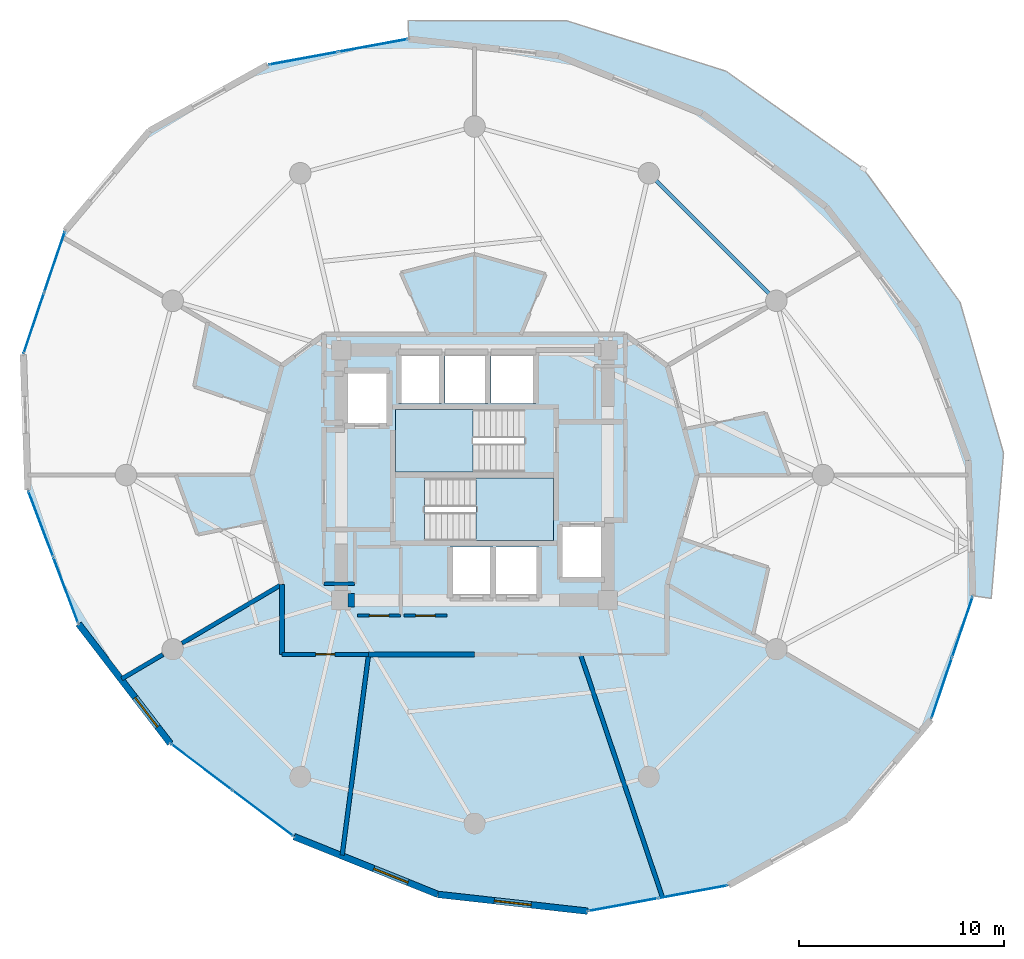
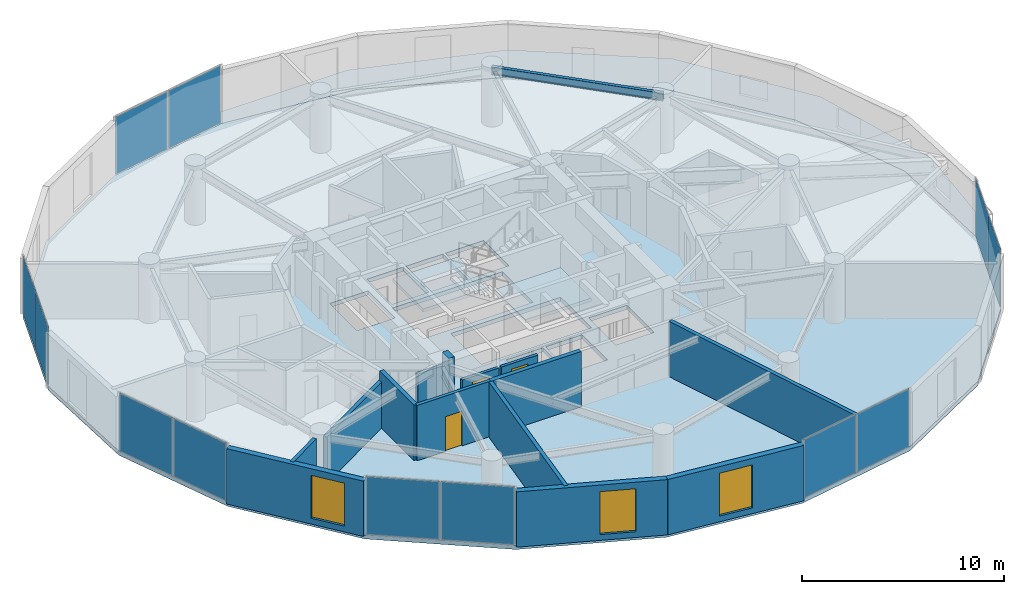
# One storey, part 17 of 23: 14 walls, 12 plates, 4 slabs, 3 doors, 3 windows, 1 beam, 6 openings, 8 elements without a shape of their own.
"""IFC4 building model written with IfcOpenShell, lengths in metres."""

import ifcopenshell
import ifcopenshell.guid

model = None  # the IFC model being written
_history = None  # IfcOwnerHistory: only IFC2X3 demands one
_inside = {}  # id of a spatial element -> (the spatial element, [elements in it])
_under = {}  # id of a project, library or spatial element -> (it, [spatial elements below it])
_declared = {}  # id of a project -> (the project, [libraries it declares])
_typed = {}  # id of a type object -> (the type object, [elements of that type])
_made_of = {}  # id of a material, layer set ... -> (it, [elements and type objects made of it])


def new_model(schema):
    """Start an empty IFC model of exactly this schema.

    Asked for "IFC4X3", IfcOpenShell would pick the latest addendum, in which some entities
    have other attributes; the version numbers below select the first issue.
    IFC2X3 requires an IfcOwnerHistory on every rooted entity: one is made here for all.
    """
    global model, _history
    if schema == "IFC4X3":
        model = ifcopenshell.file(schema_version=(4, 3, 0, 0))
    else:
        model = ifcopenshell.file(schema=schema)
    _inside.clear()
    _under.clear()
    _declared.clear()
    _typed.clear()
    _made_of.clear()
    _history = None
    if model.schema == "IFC2X3":
        org = make("IfcOrganization", Name="unknown")
        user = make(
            "IfcPersonAndOrganization",
            ThePerson=make("IfcPerson", FamilyName="unknown"),
            TheOrganization=org,
        )
        app = make(
            "IfcApplication",
            ApplicationDeveloper=org,
            Version="unknown",
            ApplicationFullName="unknown",
            ApplicationIdentifier="unknown",
        )
        _history = make(
            "IfcOwnerHistory",
            OwningUser=user,
            OwningApplication=app,
            ChangeAction="ADDED",
            CreationDate=0,
        )
    return model


def make(cls, **values):
    """One entity of the class cls with the attributes given. An attribute that is None is left unset."""
    return model.create_entity(
        cls, **{name: value for name, value in values.items() if value is not None}
    )


def rooted(cls, **values):
    """An entity with a GlobalId (a new one), such as an element, a storey or a relation."""
    return make(cls, GlobalId=ifcopenshell.guid.new(), OwnerHistory=_history, **values)


def si_unit(unit_type, name, prefix=None):
    """IfcSIUnit, for example si_unit("LENGTHUNIT", "METRE", prefix="MILLI")."""
    return make("IfcSIUnit", UnitType=unit_type, Prefix=prefix, Name=name)


def assignment(units):
    """IfcUnitAssignment: the units of a project."""
    return None if units is None else make("IfcUnitAssignment", Units=units)


def point(xyz):
    """IfcCartesianPoint."""
    return None if xyz is None else make("IfcCartesianPoint", Coordinates=xyz)


def direction(xyz):
    """IfcDirection."""
    return None if xyz is None else make("IfcDirection", DirectionRatios=xyz)


def frame(location, z_axis=None, x_axis=None):
    """IfcAxis2Placement3D, a coordinate frame: its origin and axes. An axis left out is left unset."""
    return make(
        "IfcAxis2Placement3D",
        Location=point(location),
        Axis=direction(z_axis),
        RefDirection=direction(x_axis),
    )


def frame_2d(location, x_axis=None):
    """IfcAxis2Placement2D, a coordinate frame in the plane: its origin and x axis."""
    return make(
        "IfcAxis2Placement2D", Location=point(location), RefDirection=direction(x_axis)
    )


def origin():
    """The frame at (0, 0, 0) with its axes left unset."""
    return frame((0.0, 0.0, 0.0))


def origin_2d():
    """The frame at (0, 0) in the plane with its x axis left unset."""
    return frame_2d((0.0, 0.0))


def place(relative_to, where):
    """IfcLocalPlacement: puts the frame where relative to a parent placement (None: the world)."""
    return make(
        "IfcLocalPlacement", PlacementRelTo=relative_to, RelativePlacement=where
    )


def context(
    kind, dimensions, precision=None, world=None, true_north=None, identifier=None
):
    """IfcGeometricRepresentationContext, for example the 3D "Model" context."""
    return make(
        "IfcGeometricRepresentationContext",
        ContextIdentifier=identifier,
        ContextType=kind,
        CoordinateSpaceDimension=dimensions,
        Precision=precision,
        WorldCoordinateSystem=world,
        TrueNorth=true_north,
    )


def subcontext(parent, identifier, kind, view, scale=None):
    """IfcGeometricRepresentationSubContext, for example "Body" below "Model"."""
    return make(
        "IfcGeometricRepresentationSubContext",
        ContextIdentifier=identifier,
        ContextType=kind,
        ParentContext=parent,
        TargetScale=scale,
        TargetView=view,
    )


def project(units=None, contexts=None):
    """IfcProject with its units and contexts."""
    return rooted(
        "IfcProject",
        Name="project",
        RepresentationContexts=contexts,
        UnitsInContext=assignment(units),
    )


def spatial(cls, under=None, at=None, **own):
    """A site, building, storey or space (cls), placed at a placement, below another one or the project."""
    s = rooted(cls, ObjectPlacement=at, **own)
    if under is not None:
        _under.setdefault(under.id(), (under, []))[1].append(s)
    return s


def polyline(points):
    """IfcPolyline through the points."""
    return make("IfcPolyline", Points=[point(p) for p in points])


def profile(cls, at=None, kind="AREA", **sizes):
    """A parametric profile (cls). Its sizes go by their IFC names, for example OverallWidth=200.0."""
    return make(cls, ProfileType=kind, Position=at, **sizes)


def rectangle(**sizes):
    """IfcRectangleProfileDef."""
    return profile("IfcRectangleProfileDef", **sizes)


def i_section(**sizes):
    """IfcIShapeProfileDef."""
    return profile("IfcIShapeProfileDef", **sizes)


def outline(outer, holes=None, kind="AREA"):
    """IfcArbitraryClosedProfileDef: a profile drawn as a closed curve; with holes, ...WithVoids."""
    if holes is None:
        return make("IfcArbitraryClosedProfileDef", ProfileType=kind, OuterCurve=outer)
    return make(
        "IfcArbitraryProfileDefWithVoids",
        ProfileType=kind,
        OuterCurve=outer,
        InnerCurves=holes,
    )


def extrude(swept, where, along, depth):
    """IfcExtrudedAreaSolid: the profile swept, set in the frame where, extruded along a direction by depth."""
    return make(
        "IfcExtrudedAreaSolid",
        SweptArea=swept,
        Position=where,
        ExtrudedDirection=direction(along),
        Depth=depth,
    )


def shape(context_of_items, identifier, shape_type, items):
    """IfcShapeRepresentation: the items that make up one representation, for example the "Body"."""
    return make(
        "IfcShapeRepresentation",
        ContextOfItems=context_of_items,
        RepresentationIdentifier=identifier,
        RepresentationType=shape_type,
        Items=items,
    )


def source(mapping_origin, context_of_items, identifier, shape_type, items):
    """IfcRepresentationMap: a shape defined once, which mapped items show again and again."""
    return make(
        "IfcRepresentationMap",
        MappingOrigin=mapping_origin,
        MappedRepresentation=shape(context_of_items, identifier, shape_type, items),
    )


def transform(
    local_origin,
    x_axis=None,
    y_axis=None,
    z_axis=None,
    scale=None,
    scale2=None,
    scale3=None,
    uniform=True,
):
    """IfcCartesianTransformationOperator3D, or its non-uniform kind. x_axis, y_axis, z_axis: its Axis1, 2, 3."""
    if uniform:
        return make(
            "IfcCartesianTransformationOperator3D",
            Axis1=direction(x_axis),
            Axis2=direction(y_axis),
            LocalOrigin=point(local_origin),
            Scale=scale,
            Axis3=direction(z_axis),
        )
    return make(
        "IfcCartesianTransformationOperator3DnonUniform",
        Axis1=direction(x_axis),
        Axis2=direction(y_axis),
        LocalOrigin=point(local_origin),
        Scale=scale,
        Axis3=direction(z_axis),
        Scale2=scale2,
        Scale3=scale3,
    )


def mapped(mapping_source, mapping_target):
    """IfcMappedItem: shows the shape of a source again, moved by a transform."""
    return make(
        "IfcMappedItem", MappingSource=mapping_source, MappingTarget=mapping_target
    )


def material(Name=None, Category=None):
    """IfcMaterial."""
    return make("IfcMaterial", Name=Name, Category=Category)


def layer(
    of_material, thickness, ventilated=None, Name=None, Category=None, Priority=None
):
    """IfcMaterialLayer: one layer of a wall or slab, of a material (None: an air gap)."""
    return make(
        "IfcMaterialLayer",
        Material=of_material,
        LayerThickness=thickness,
        IsVentilated=ventilated,
        Name=Name,
        Category=Category,
        Priority=Priority,
    )


def layer_set(layers, Name=None):
    """IfcMaterialLayerSet."""
    return make("IfcMaterialLayerSet", MaterialLayers=layers, LayerSetName=Name)


def material_profile(
    of_material, cross_section, Name=None, Category=None, Priority=None
):
    """IfcMaterialProfile: a cross section and its material."""
    return make(
        "IfcMaterialProfile",
        Name=Name,
        Material=of_material,
        Profile=cross_section,
        Priority=Priority,
        Category=Category,
    )


def profile_set(profiles, Name=None, composite=None):
    """IfcMaterialProfileSet."""
    return make(
        "IfcMaterialProfileSet",
        Name=Name,
        MaterialProfiles=profiles,
        CompositeProfile=composite,
    )


def made_of(thing, what):
    """Note that an element or type object is made of a material, layer set ...; save() writes the relation."""
    if what is not None:
        _made_of.setdefault(what.id(), (what, []))[1].append(thing)
    return thing


def type_object(cls, material=None, **own):
    """A type object (cls), such as IfcWallType, which elements share."""
    return made_of(rooted(cls, **own), material)


def element(
    cls,
    number,
    at=None,
    inside=None,
    cuts=None,
    type_object=None,
    material=None,
    context=None,
    identifier="Body",
    shape_type=None,
    held_by="IfcProductDefinitionShape",
    body=None,
    shapes=None,
    **own,
):
    """One element of the class cls, such as IfcWall. Its Tag is "e" and its number.

    at: its placement. inside: the storey or other place that contains it. cuts: it is an
    opening in that element (IfcRelVoidsElement). A single representation is given by context,
    identifier, shape_type and body (its items); several are given by shapes. held_by: the class
    of the entity that holds the representations. save() writes the other relations.
    """
    e = rooted(cls, Tag="e%d" % number, ObjectPlacement=at, **own)
    if body is not None:
        shapes = [shape(context, identifier, shape_type, body)]
    if shapes is not None:
        e.Representation = make(held_by, Representations=shapes)
    if inside is not None:
        _inside.setdefault(inside.id(), (inside, []))[1].append(e)
    if cuts is not None:
        rooted(
            "IfcRelVoidsElement", RelatingBuildingElement=cuts, RelatedOpeningElement=e
        )
    if type_object is not None:
        _typed.setdefault(type_object.id(), (type_object, []))[1].append(e)
    return made_of(e, material)


def fill(opening, filler):
    """IfcRelFillsElement: the door or window that sits in an opening."""
    return rooted(
        "IfcRelFillsElement",
        RelatingOpeningElement=opening,
        RelatedBuildingElement=filler,
    )


def aggregate(whole, parts):
    """IfcRelAggregates: a whole, such as a stair, and the parts it consists of."""
    return rooted("IfcRelAggregates", RelatingObject=whole, RelatedObjects=parts)


def save(model, path):
    """Write the relations noted so far, then the file.

    IfcRelAggregates (storeys below a building ...), IfcRelContainedInSpatialStructure (elements
    in a storey), IfcRelDefinesByType, IfcRelAssociatesMaterial and IfcRelDeclares: one each for
    every whole, place, type object, material and project.
    """
    for whole, parts in _under.values():
        aggregate(whole, parts)
    for where, things in _inside.values():
        rooted(
            "IfcRelContainedInSpatialStructure",
            RelatedElements=things,
            RelatingStructure=where,
        )
    for kind, things in _typed.values():
        rooted("IfcRelDefinesByType", RelatedObjects=things, RelatingType=kind)
    for what, things in _made_of.values():
        rooted("IfcRelAssociatesMaterial", RelatedObjects=things, RelatingMaterial=what)
    for by, libraries in _declared.values():
        rooted("IfcRelDeclares", RelatingContext=by, RelatedDefinitions=libraries)
    model.write(path)


model = new_model("IFC4")

# Units and contexts
model_context = context("Model", 3, precision=1e-05, world=origin(), true_north=direction((0.0, 1.0)))
body_context = subcontext(model_context, "Body", "Model", "MODEL_VIEW")
ifc_project = project(units=[si_unit("LENGTHUNIT", "METRE"), si_unit("AREAUNIT", "SQUARE_METRE"), si_unit("VOLUMEUNIT", "CUBIC_METRE"), si_unit("PLANEANGLEUNIT", "RADIAN"), si_unit("MASSUNIT", "GRAM", prefix="KILO")], contexts=[model_context])

# Site, building, storey
site_placement = place(None, origin())
site = spatial("IfcSite", under=ifc_project, at=site_placement, CompositionType="ELEMENT")
building_placement = place(site_placement, origin())
building = spatial("IfcBuilding", under=site, at=building_placement, Name="Solvirekh Grand Hotel", CompositionType="ELEMENT")
storey_placement = place(building_placement, frame((0.0, 0.0, 109.800048828125)))
storey = spatial("IfcBuildingStorey", under=building, at=storey_placement, Name="L27", CompositionType="ELEMENT", Elevation=109.800048828125)

# Beam
ifc_material_1 = material(Name="Steel S355", Category="steel")
ifc_material_profile = material_profile(ifc_material_1, i_section(OverallWidth=0.18994140625, OverallDepth=0.45703125, WebThickness=0.009033203125, FlangeThickness=0.013916015625, FilletRadius=0.012939453125, at=origin_2d()), Name="W460X74")
ifc_profile_set = profile_set([ifc_material_profile], Name="Steel S355")
beam_type = type_object("IfcBeamType", Name="Spandrel_Ring_W460", PredefinedType="SPANDREL", material=ifc_profile_set)
beam_placement = place(storey_placement, frame((14.721923828125, 8.5, 3.1220703125), z_axis=(-0.707106781187, 0.707106781187, 0.0), x_axis=(-0.707106781187, -0.707106781187, 0.0)))
element("IfcBeam", 1, at=beam_placement, inside=storey, type_object=beam_type, Name="L27 perimeter spandrel beam 2", PredefinedType="SPANDREL", context=body_context, shape_type="SweptSolid", body=[
    extrude(i_section(OverallWidth=0.18994140625, OverallDepth=0.45703125, WebThickness=0.009033203125, FlangeThickness=0.013916015625, FilletRadius=0.012939453125, at=origin_2d()), origin(), (0.0, 0.0, 1.0), 8.799072265625),
])

# Slab
ifc_material_2 = material(Name="Concrete C50/60", Category="concrete")
ifc_layer_1 = layer(ifc_material_2, 0.215087890625)
ifc_layer_set_1 = layer_set([ifc_layer_1], Name="Concrete C50/60")
slab_type_1 = type_object("IfcSlabType", Name="ExtCrescentBalc_215", PredefinedType="FLOOR", material=ifc_layer_set_1)
slab_1_placement = place(storey_placement, frame((0.0, 0.0, -0.215087890625)))
element("IfcSlab", 2, at=slab_1_placement, inside=storey, type_object=slab_type_1, Name="L27 sweeping crescent balcony slab", PredefinedType="FLOOR", context=body_context, shape_type="SweptSolid", body=[
    extrude(outline(polyline([(25.201904296875, -6.013916015625), (25.800048828125, 1.073974609375), (23.68408203125, 8.423095703125), (18.968017578125, 14.93896484375), (12.26904296875, 19.700927734375), (4.52099609375, 22.15087890625), (-3.239013671875, 22.173095703125), (-3.2109375, 21.27294921875), (4.090087890625, 20.455078125), (11.10302734375, 17.635009765625), (17.14208984375, 13.089111328125), (21.614990234375, 7.260986328125), (24.0859375, 0.722900390625), (24.31103515625, -5.885986328125), (25.201904296875, -6.013916015625)])), origin(), (0.0, 0.0, 1.0), 0.215087890625),
])

# Stair, slab
ifc_material_3 = material(Name="Concrete C40/50", Category="concrete")
stair_type = type_object("IfcStairType", Name="Stair_Core_1450", PredefinedType="HALF_TURN_STAIR", material=ifc_material_3)
stair_1_placement = place(storey_placement, origin())
stair_1 = element("IfcStair", 3, at=stair_1_placement, inside=storey, type_object=stair_type, Name="L27 Enclosed exit stair ST-1", PredefinedType="HALF_TURN_STAIR")
ifc_layer_2 = layer(ifc_material_3, 0.199951171875)
ifc_layer_set_2 = layer_set([ifc_layer_2], Name="Concrete C40/50")
slab_type_2 = type_object("IfcSlabType", Name="Landing_Stair_200", PredefinedType="LANDING", material=ifc_layer_set_2)
slab_2_placement = place(storey_placement, frame((0.0, 0.0, 1.599853515625)))
slab_2 = element("IfcSlab", 4, at=slab_2_placement, type_object=slab_type_2, Name="ST-1 landing 1", PredefinedType="LANDING", context=body_context, shape_type="SweptSolid", body=[
    extrude(outline(polyline([(0.070068359375, -3.199951171875), (3.85009765625, -3.199951171875), (3.85009765625, -0.14990234375), (0.070068359375, -0.14990234375), (0.070068359375, -3.199951171875)])), origin(), (0.0, 0.0, 1.0), 0.2001953125),
])
aggregate(stair_1, [slab_2])

stair_2_placement = place(storey_placement, origin())
stair_2 = element("IfcStair", 5, at=stair_2_placement, inside=storey, type_object=stair_type, Name="L27 Enclosed exit stair ST-2", PredefinedType="HALF_TURN_STAIR")
slab_3_placement = place(storey_placement, frame((0.0, 0.0, 1.599853515625)))
slab_3 = element("IfcSlab", 6, at=slab_3_placement, type_object=slab_type_2, Name="ST-2 landing 1", PredefinedType="LANDING", context=body_context, shape_type="SweptSolid", body=[
    extrude(outline(polyline([(-0.070068359375, 3.199951171875), (-3.85009765625, 3.199951171875), (-3.85009765625, 0.14990234375), (-0.070068359375, 0.14990234375), (-0.070068359375, 3.199951171875)])), origin(), (0.0, 0.0, 1.0), 0.2001953125),
])
aggregate(stair_2, [slab_3])

# Slab
ifc_layer_3 = layer(ifc_material_2, 0.25)
ifc_layer_set_3 = layer_set([ifc_layer_3], Name="Concrete C50/60")
slab_type_3 = type_object("IfcSlabType", Name="Slab_GuestZ2_250", PredefinedType="FLOOR", material=ifc_layer_set_3)
slab_4_placement = place(storey_placement, frame((0.0, 0.0, -0.25)))
element("IfcSlab", 7, at=slab_4_placement, inside=storey, type_object=slab_type_3, Name="L27 structural floor slab", PredefinedType="FLOOR", context=body_context, shape_type="SweptSolid", body=[
    extrude(outline(polyline([(22.26904296875, -11.9189453125), (24.31103515625, -5.885986328125), (24.0859375, 0.722900390625), (21.614990234375, 7.260986328125), (17.14208984375, 13.089111328125), (11.10302734375, 17.635009765625), (4.090087890625, 20.455078125), (-3.2109375, 21.27294921875), (-10.0849609375, 20.008056640625), (-15.85888671875, 16.784912109375), (-19.968994140625, 11.9189453125), (-22.010986328125, 5.885986328125), (-21.785888671875, -0.722900390625), (-19.31494140625, -7.260986328125), (-14.842041015625, -13.089111328125), (-8.802978515625, -17.635009765625), (-1.7900390625, -20.455078125), (5.510986328125, -21.27294921875), (12.385009765625, -20.008056640625), (18.158935546875, -16.784912109375), (22.26904296875, -11.9189453125)]), holes=[polyline([(-2.444091796875, -0.14990234375), (3.85009765625, -0.14990234375), (3.85009765625, -3.199951171875), (-2.444091796875, -3.199951171875), (-2.444091796875, -0.14990234375)]), polyline([(2.444091796875, 0.14990234375), (-3.85009765625, 0.14990234375), (-3.85009765625, 3.199951171875), (2.444091796875, 3.199951171875), (2.444091796875, 0.14990234375)]), polyline([(-1.199951171875, -3.5), (0.89990234375, -3.5), (0.89990234375, -6.0), (-1.199951171875, -6.0), (-1.199951171875, -3.5)]), polyline([(1.050048828125, -3.5), (3.14990234375, -3.5), (3.14990234375, -6.0), (1.050048828125, -6.0), (1.050048828125, -3.5)]), polyline([(-3.699951171875, 6.0), (-1.60009765625, 6.0), (-1.60009765625, 3.5), (-3.699951171875, 3.5), (-3.699951171875, 6.0)]), polyline([(-1.449951171875, 6.0), (0.64990234375, 6.0), (0.64990234375, 3.5), (-1.449951171875, 3.5), (-1.449951171875, 6.0)]), polyline([(0.800048828125, 6.0), (3.0, 6.0), (3.0, 3.5), (0.800048828125, 3.5), (0.800048828125, 6.0)]), polyline([(-6.35009765625, 5.10009765625), (-4.14990234375, 5.10009765625), (-4.14990234375, 2.39990234375), (-6.35009765625, 2.39990234375), (-6.35009765625, 5.10009765625)]), polyline([(4.14990234375, -2.39990234375), (6.35009765625, -2.39990234375), (6.35009765625, -5.10009765625), (4.14990234375, -5.10009765625), (4.14990234375, -2.39990234375)])]), origin(), (0.0, 0.0, 1.0), 0.25),
])

# Curtain wall, plates
ifc_material_4 = material(Name="Anodized Bronze Aluminium 6063-T6", Category="aluminium")
ifc_layer_4 = layer(ifc_material_4, 0.175048828125)
ifc_layer_set_4 = layer_set([ifc_layer_4], Name="Anodized Bronze Aluminium 6063-T6")
curtain_wall_type = type_object("IfcCurtainWallType", Name="CW_Sys3_MidZoneFlushBronzeCW", PredefinedType="NOTDEFINED", material=ifc_layer_set_4)
curtain_wall_1_placement = place(storey_placement, origin())
curtain_wall_1 = element("IfcCurtainWall", 8, at=curtain_wall_1_placement, inside=storey, type_object=curtain_wall_type, Name="L27 unitised bronze-glass curtain wall CW-L27-C01", PredefinedType="NOTDEFINED")
ifc_material_5 = material(Name="Low-E Tinted Bronze Laminated Glass", Category="aluminium")
ifc_layer_5 = layer(ifc_material_5, 0.035888671875)
ifc_layer_set_5 = layer_set([ifc_layer_5], Name="Low-E Tinted Bronze Laminated Glass")
plate_type = type_object("IfcPlateType", Name="CWPanel_Mid_36", PredefinedType="CURTAIN_PANEL", material=ifc_layer_set_5)
shared_shape_1 = source(origin(), body_context, "Body", "SweptSolid", [
    extrude(rectangle(XDim=3.087158203125, YDim=0.035888671875, at=origin_2d()), origin(), (0.0, 0.0, 1.0), 3.489990234375),
])
plate_1_placement = place(storey_placement, frame((22.78466796875, -10.395263671875, 0.05517578125), z_axis=(0.0, 0.0, 1.0), x_axis=(0.320604843106, 0.947213035477, 0.0)))
plate_1 = element("IfcPlate", 9, at=plate_1_placement, type_object=plate_type, Name="U03 panel 1.1", PredefinedType="CURTAIN_PANEL", context=body_context, shape_type="MappedRepresentation", body=[
    mapped(shared_shape_1, transform((0.0, 0.0, 0.0), x_axis=(1.0, 0.0, 0.0), y_axis=(0.0, 1.0, 0.0), z_axis=(0.0, 0.0, 1.0), scale=1.0)),
])
plate_2_placement = place(storey_placement, frame((23.79541015625, -7.40966796875, 0.05517578125), z_axis=(0.0, 0.0, 1.0), x_axis=(0.320604843106, 0.947213035477, 0.0)))
plate_2 = element("IfcPlate", 10, at=plate_2_placement, type_object=plate_type, Name="U03 panel 2.1", PredefinedType="CURTAIN_PANEL", context=body_context, shape_type="MappedRepresentation", body=[
    mapped(shared_shape_1, transform((0.0, 0.0, 0.0), x_axis=(1.0, 0.0, 0.0), y_axis=(0.0, 1.0, 0.0), z_axis=(0.0, 0.0, 1.0), scale=1.0)),
])
aggregate(curtain_wall_1, [plate_1, plate_2])

curtain_wall_2_placement = place(storey_placement, origin())
curtain_wall_2 = element("IfcCurtainWall", 11, at=curtain_wall_2_placement, inside=storey, type_object=curtain_wall_type, Name="L27 unitised bronze-glass curtain wall CW-L27-C11", PredefinedType="NOTDEFINED")
plate_3_placement = place(storey_placement, frame((-20.484619140625, 10.395263671875, 0.05517578125), z_axis=(0.0, 0.0, 1.0), x_axis=(-0.320604843106, -0.947213035477, 0.0)))
plate_3 = element("IfcPlate", 12, at=plate_3_placement, type_object=plate_type, Name="U03 panel 1.1", PredefinedType="CURTAIN_PANEL", context=body_context, shape_type="MappedRepresentation", body=[
    mapped(shared_shape_1, transform((0.0, 0.0, 0.0), x_axis=(1.0, 0.0, 0.0), y_axis=(0.0, 1.0, 0.0), z_axis=(0.0, 0.0, 1.0), scale=1.0)),
])
plate_4_placement = place(storey_placement, frame((-21.495361328125, 7.40966796875, 0.05517578125), z_axis=(0.0, 0.0, 1.0), x_axis=(-0.320604843106, -0.947213035477, 0.0)))
plate_4 = element("IfcPlate", 13, at=plate_4_placement, type_object=plate_type, Name="U03 panel 2.1", PredefinedType="CURTAIN_PANEL", context=body_context, shape_type="MappedRepresentation", body=[
    mapped(shared_shape_1, transform((0.0, 0.0, 0.0), x_axis=(1.0, 0.0, 0.0), y_axis=(0.0, 1.0, 0.0), z_axis=(0.0, 0.0, 1.0), scale=1.0)),
])
aggregate(curtain_wall_2, [plate_3, plate_4])

curtain_wall_3_placement = place(storey_placement, origin())
curtain_wall_3 = element("IfcCurtainWall", 14, at=curtain_wall_3_placement, inside=storey, type_object=curtain_wall_type, Name="L27 unitised bronze-glass curtain wall CW-L27-C08", PredefinedType="NOTDEFINED")
shared_shape_2 = source(origin(), body_context, "Body", "SweptSolid", [
    extrude(rectangle(XDim=3.397216796875, YDim=0.035888671875, at=origin_2d()), origin(), (0.0, 0.0, 1.0), 3.489990234375),
])
plate_5_placement = place(storey_placement, frame((-4.945556640625, 20.953857421875, 0.05517578125), z_axis=(0.0, 0.0, 1.0), x_axis=(-0.983485371719, -0.180987633873, 0.0)))
plate_5 = element("IfcPlate", 15, at=plate_5_placement, type_object=plate_type, Name="U03 panel 1.1", PredefinedType="CURTAIN_PANEL", context=body_context, shape_type="MappedRepresentation", body=[
    mapped(shared_shape_2, transform((0.0, 0.0, 0.0), x_axis=(1.0, 0.0, 0.0), y_axis=(0.0, 1.0, 0.0), z_axis=(0.0, 0.0, 1.0), scale=1.0)),
])
plate_6_placement = place(storey_placement, frame((-8.3505859375, 20.3271484375, 0.05517578125), z_axis=(0.0, 0.0, 1.0), x_axis=(-0.983485371719, -0.180987633873, 0.0)))
plate_6 = element("IfcPlate", 16, at=plate_6_placement, type_object=plate_type, Name="U03 panel 2.1", PredefinedType="CURTAIN_PANEL", context=body_context, shape_type="MappedRepresentation", body=[
    mapped(shared_shape_2, transform((0.0, 0.0, 0.0), x_axis=(1.0, 0.0, 0.0), y_axis=(0.0, 1.0, 0.0), z_axis=(0.0, 0.0, 1.0), scale=1.0)),
])
aggregate(curtain_wall_3, [plate_5, plate_6])

curtain_wall_4_placement = place(storey_placement, origin())
curtain_wall_4 = element("IfcCurtainWall", 17, at=curtain_wall_4_placement, inside=storey, type_object=curtain_wall_type, Name="L27 unitised bronze-glass curtain wall CW-L27-C13", PredefinedType="NOTDEFINED")
plate_7_placement = place(storey_placement, frame((-21.16259765625, -2.372802734375, 0.05517578125), z_axis=(0.0, 0.0, 1.0), x_axis=(0.353536899934, -0.935420579411, 0.0)))
plate_7 = element("IfcPlate", 18, at=plate_7_placement, type_object=plate_type, Name="U03 panel 1.1", PredefinedType="CURTAIN_PANEL", context=body_context, shape_type="MappedRepresentation", body=[
    mapped(shared_shape_2, transform((0.0, 0.0, 0.0), x_axis=(1.0, 0.0, 0.0), y_axis=(0.0, 1.0, 0.0), z_axis=(0.0, 0.0, 1.0), scale=1.0)),
])
plate_8_placement = place(storey_placement, frame((-19.9384765625, -5.611328125, 0.05517578125), z_axis=(0.0, 0.0, 1.0), x_axis=(0.353536899934, -0.935420579411, 0.0)))
plate_8 = element("IfcPlate", 19, at=plate_8_placement, type_object=plate_type, Name="U03 panel 2.1", PredefinedType="CURTAIN_PANEL", context=body_context, shape_type="MappedRepresentation", body=[
    mapped(shared_shape_2, transform((0.0, 0.0, 0.0), x_axis=(1.0, 0.0, 0.0), y_axis=(0.0, 1.0, 0.0), z_axis=(0.0, 0.0, 1.0), scale=1.0)),
])
aggregate(curtain_wall_4, [plate_7, plate_8])

curtain_wall_5_placement = place(storey_placement, origin())
curtain_wall_5 = element("IfcCurtainWall", 20, at=curtain_wall_5_placement, inside=storey, type_object=curtain_wall_type, Name="L27 unitised bronze-glass curtain wall CW-L27-C18", PredefinedType="NOTDEFINED")
plate_9_placement = place(storey_placement, frame((7.245361328125, -20.953857421875, 0.05517578125), z_axis=(0.0, 0.0, 1.0), x_axis=(0.983485371719, 0.180987633873, 0.0)))
plate_9 = element("IfcPlate", 21, at=plate_9_placement, type_object=plate_type, Name="U03 panel 1.1", PredefinedType="CURTAIN_PANEL", context=body_context, shape_type="MappedRepresentation", body=[
    mapped(shared_shape_2, transform((0.0, 0.0, 0.0), x_axis=(1.0, 0.0, 0.0), y_axis=(0.0, 1.0, 0.0), z_axis=(0.0, 0.0, 1.0), scale=1.0)),
])
plate_10_placement = place(storey_placement, frame((10.650634765625, -20.3271484375, 0.05517578125), z_axis=(0.0, 0.0, 1.0), x_axis=(0.983485371719, 0.180987633873, 0.0)))
plate_10 = element("IfcPlate", 22, at=plate_10_placement, type_object=plate_type, Name="U03 panel 2.1", PredefinedType="CURTAIN_PANEL", context=body_context, shape_type="MappedRepresentation", body=[
    mapped(shared_shape_2, transform((0.0, 0.0, 0.0), x_axis=(1.0, 0.0, 0.0), y_axis=(0.0, 1.0, 0.0), z_axis=(0.0, 0.0, 1.0), scale=1.0)),
])
aggregate(curtain_wall_5, [plate_9, plate_10])

curtain_wall_6_placement = place(storey_placement, origin())
curtain_wall_6 = element("IfcCurtainWall", 23, at=curtain_wall_6_placement, inside=storey, type_object=curtain_wall_type, Name="L27 unitised bronze-glass curtain wall CW-L27-C15", PredefinedType="NOTDEFINED")
shared_shape_3 = source(origin(), body_context, "Body", "SweptSolid", [
    extrude(rectangle(XDim=3.681884765625, YDim=0.035888671875, at=origin_2d()), origin(), (0.0, 0.0, 1.0), 3.489990234375),
])
plate_11_placement = place(storey_placement, frame((-13.3193359375, -14.2353515625, 0.05517578125), z_axis=(0.0, 0.0, 1.0), x_axis=(0.798935083696, -0.601417269489, 0.0)))
plate_11 = element("IfcPlate", 24, at=plate_11_placement, type_object=plate_type, Name="U03 panel 1.1", PredefinedType="CURTAIN_PANEL", context=body_context, shape_type="MappedRepresentation", body=[
    mapped(shared_shape_3, transform((0.0, 0.0, 0.0), x_axis=(1.0, 0.0, 0.0), y_axis=(0.0, 1.0, 0.0), z_axis=(0.0, 0.0, 1.0), scale=1.0)),
])
plate_12_placement = place(storey_placement, frame((-10.32568359375, -16.48876953125, 0.05517578125), z_axis=(0.0, 0.0, 1.0), x_axis=(0.798935083696, -0.601417269489, 0.0)))
plate_12 = element("IfcPlate", 25, at=plate_12_placement, type_object=plate_type, Name="U03 panel 2.1", PredefinedType="CURTAIN_PANEL", context=body_context, shape_type="MappedRepresentation", body=[
    mapped(shared_shape_3, transform((0.0, 0.0, 0.0), x_axis=(1.0, 0.0, 0.0), y_axis=(0.0, 1.0, 0.0), z_axis=(0.0, 0.0, 1.0), scale=1.0)),
])
aggregate(curtain_wall_6, [plate_11, plate_12])

# Wall
ifc_layer_6 = layer(ifc_material_2, 0.64990234375)
ifc_layer_set_6 = layer_set([ifc_layer_6], Name="Concrete C50/60")
wall_type_1 = type_object("IfcWallType", Name="CoreWall_RC650", PredefinedType="SHEAR", material=ifc_layer_set_6)
wall_1_placement = place(storey_placement, frame((-6.175048828125, -6.10009765625, 0.0), z_axis=(0.0, 0.0, 1.0), x_axis=(1.0, 0.0, 0.0)))
element("IfcWall", 26, at=wall_1_placement, inside=storey, type_object=wall_type_1, Name="L27 core corner shear wall SW-S", PredefinedType="SHEAR", context=body_context, shape_type="SweptSolid", body=[
    extrude(rectangle(XDim=0.324951171875, YDim=0.64990234375, at=frame_2d((0.16259765625, 0.0))), origin(), (0.0, 0.0, 1.0), 3.599853515625),
])

# Wall, opening, window
ifc_material_6 = material(Name="Precast concrete C45/55", Category="concrete")
ifc_layer_7 = layer(ifc_material_6, 0.320068359375)
ifc_layer_set_7 = layer_set([ifc_layer_7], Name="Precast concrete C45/55")
wall_type_2 = type_object("IfcWallType", Name="ExtLobbyWall_RC320", PredefinedType="SOLIDWALL", material=ifc_layer_set_7)
wall_2_placement = place(storey_placement, frame((-14.842041015625, -13.089111328125, 0.0), z_axis=(0.0, 0.0, 1.0), x_axis=(-0.608831916989, 0.793299247986, 0.0)))
wall_2 = element("IfcWall", 27, at=wall_2_placement, inside=storey, type_object=wall_type_2, Name="L27 exterior structural wall chord 14", PredefinedType="SOLIDWALL", context=body_context, shape_type="SweptSolid", body=[
    extrude(rectangle(XDim=7.3466796875, YDim=0.320068359375, at=frame_2d((3.67333984375, 0.0))), origin(), (0.0, 0.0, 1.0), 3.349853515625),
])
opening_1_placement = place(wall_2_placement, frame((1.02099609375, 0.0, 0.35009765625)))
opening_1 = element("IfcOpeningElement", 28, at=opening_1_placement, cuts=wall_2, Name="Opening W02", PredefinedType="OPENING", context=body_context, shape_type="SweptSolid", body=[
    extrude(rectangle(XDim=1.800048828125, YDim=2.60009765625, at=frame_2d((0.89990234375, 1.300048828125))), frame((0.0, 0.169921875, 0.0), z_axis=(0.0, -1.0, 0.0), x_axis=(1.0, 0.0, 0.0)), (0.0, 0.0, 1.0), 0.340087890625),
])
window_type = type_object("IfcWindowType", Name="Win_LobbyExt_1800X2600", PartitioningType="SINGLE_PANEL", PredefinedType="WINDOW", material=ifc_material_5)
window_1_placement = place(opening_1_placement, origin())
window_1 = element("IfcWindow", 29, at=window_1_placement, inside=storey, type_object=window_type, Name="L27 panoramic bronze-framed window 14", OverallHeight=2.60009765625, OverallWidth=1.800048828125, PartitioningType="SINGLE_PANEL", PredefinedType="WINDOW", context=body_context, shape_type="SweptSolid", body=[
    extrude(rectangle(XDim=1.800048828125, YDim=2.60009765625, at=frame_2d((0.89990234375, 1.300048828125))), frame((0.0, 0.030029296875, 0.0), z_axis=(0.0, -1.0, 0.0), x_axis=(1.0, 0.0, 0.0)), (0.0, 0.0, 1.0), 0.06005859375),
])
fill(opening_1, window_1)

wall_3_placement = place(storey_placement, frame((-1.7900390625, -20.455078125, 0.0), z_axis=(0.0, 0.0, 1.0), x_axis=(-0.927795739468, 0.373088549577, 0.0)))
wall_3 = element("IfcWall", 30, at=wall_3_placement, inside=storey, type_object=wall_type_2, Name="L27 exterior structural wall chord 16", PredefinedType="SOLIDWALL", context=body_context, shape_type="SweptSolid", body=[
    extrude(rectangle(XDim=7.55859375, YDim=0.320068359375, at=frame_2d((3.779296875, 0.0))), origin(), (0.0, 0.0, 1.0), 3.349853515625),
])
opening_2_placement = place(wall_3_placement, frame((1.572021484375, 0.0, 0.35009765625)))
opening_2 = element("IfcOpeningElement", 31, at=opening_2_placement, cuts=wall_3, Name="Opening W02", PredefinedType="OPENING", context=body_context, shape_type="SweptSolid", body=[
    extrude(rectangle(XDim=1.800048828125, YDim=2.60009765625, at=frame_2d((0.89990234375, 1.300048828125))), frame((0.0, 0.169921875, 0.0), z_axis=(0.0, -1.0, 0.0), x_axis=(1.0, 0.0, 0.0)), (0.0, 0.0, 1.0), 0.340087890625),
])
window_2_placement = place(opening_2_placement, origin())
window_2 = element("IfcWindow", 32, at=window_2_placement, inside=storey, type_object=window_type, Name="L27 panoramic bronze-framed window 16", OverallHeight=2.60009765625, OverallWidth=1.800048828125, PartitioningType="SINGLE_PANEL", PredefinedType="WINDOW", context=body_context, shape_type="SweptSolid", body=[
    extrude(rectangle(XDim=1.800048828125, YDim=2.60009765625, at=frame_2d((0.89990234375, 1.300048828125))), frame((0.0, 0.030029296875, 0.0), z_axis=(0.0, -1.0, 0.0), x_axis=(1.0, 0.0, 0.0)), (0.0, 0.0, 1.0), 0.06005859375),
])
fill(opening_2, window_2)

wall_4_placement = place(storey_placement, frame((5.510986328125, -21.27294921875, 0.0), z_axis=(0.0, 0.0, 1.0), x_axis=(-0.993784044115, 0.111325081016, 0.0)))
wall_4 = element("IfcWall", 33, at=wall_4_placement, inside=storey, type_object=wall_type_2, Name="L27 exterior structural wall chord 17", PredefinedType="SOLIDWALL", context=body_context, shape_type="SweptSolid", body=[
    extrude(rectangle(XDim=7.3466796875, YDim=0.320068359375, at=frame_2d((3.67333984375, 0.0))), origin(), (0.0, 0.0, 1.0), 3.349853515625),
])
opening_3_placement = place(wall_4_placement, frame((2.77294921875, 0.0, 0.35009765625)))
opening_3 = element("IfcOpeningElement", 34, at=opening_3_placement, cuts=wall_4, Name="Opening W02", PredefinedType="OPENING", context=body_context, shape_type="SweptSolid", body=[
    extrude(rectangle(XDim=1.800048828125, YDim=2.60009765625, at=frame_2d((0.89990234375, 1.300048828125))), frame((0.0, 0.169921875, 0.0), z_axis=(0.0, -1.0, 0.0), x_axis=(1.0, 0.0, 0.0)), (0.0, 0.0, 1.0), 0.340087890625),
])
window_3_placement = place(opening_3_placement, origin())
window_3 = element("IfcWindow", 35, at=window_3_placement, inside=storey, type_object=window_type, Name="L27 panoramic bronze-framed window 17", OverallHeight=2.60009765625, OverallWidth=1.800048828125, PartitioningType="SINGLE_PANEL", PredefinedType="WINDOW", context=body_context, shape_type="SweptSolid", body=[
    extrude(rectangle(XDim=1.800048828125, YDim=2.60009765625, at=frame_2d((0.89990234375, 1.300048828125))), frame((0.0, 0.030029296875, 0.0), z_axis=(0.0, -1.0, 0.0), x_axis=(1.0, 0.0, 0.0)), (0.0, 0.0, 1.0), 0.06005859375),
])
fill(opening_3, window_3)

# Wall
ifc_material_7 = material(Name="Acoustic Gypsum Partition Assembly")
ifc_layer_8 = layer(ifc_material_7, 0.1650390625)
ifc_layer_set_8 = layer_set([ifc_layer_8], Name="Acoustic Gypsum Partition Assembly")
wall_type_3 = type_object("IfcWallType", Name="Part_BOH_165", PredefinedType="PARTITIONING", material=ifc_layer_set_8)
wall_5_placement = place(storey_placement, frame((-7.35009765625, -5.300048828125, 0.0), z_axis=(0.0, 0.0, 1.0), x_axis=(1.0, 0.0, 0.0)))
element("IfcWall", 36, at=wall_5_placement, inside=storey, type_object=wall_type_3, Name="L27 L27 Core Linen Store wall 1", PredefinedType="PARTITIONING", context=body_context, shape_type="SweptSolid", body=[
    extrude(rectangle(XDim=1.5, YDim=0.1650390625, at=frame_2d((0.75, 0.0))), origin(), (0.0, 0.0, 1.0), 2.43505859375),
])

# Wall, opening, door
wall_6_placement = place(storey_placement, frame((-5.699951171875, -6.85009765625, 0.0), z_axis=(0.0, 0.0, 1.0), x_axis=(1.0, 0.0, 0.0)))
wall_6 = element("IfcWall", 37, at=wall_6_placement, inside=storey, type_object=wall_type_3, Name="L27 Mid-Zone Housekeeping Store wall 1", PredefinedType="PARTITIONING", context=body_context, shape_type="SweptSolid", body=[
    extrude(rectangle(XDim=2.099853515625, YDim=0.1650390625, at=frame_2d((1.0498046875, 0.0))), origin(), (0.0, 0.0, 1.0), 2.43505859375),
])
opening_4_placement = place(wall_6_placement, frame((0.574951171875, 0.0, 0.0)))
opening_4 = element("IfcOpeningElement", 38, at=opening_4_placement, cuts=wall_6, Name="Opening D10", PredefinedType="OPENING", context=body_context, shape_type="SweptSolid", body=[
    extrude(rectangle(XDim=0.949951171875, YDim=2.10009765625, at=frame_2d((0.47509765625, 1.050048828125))), frame((0.0, 0.092529296875, 0.0), z_axis=(0.0, -1.0, 0.0), x_axis=(1.0, 0.0, 0.0)), (0.0, 0.0, 1.0), 0.18505859375),
])
door_type = type_object("IfcDoorType", Name="Door_RoomInt_950X2100", OperationType="NOTDEFINED", PredefinedType="DOOR", material=ifc_material_4)
door_1_placement = place(opening_4_placement, origin())
door_1 = element("IfcDoor", 39, at=door_1_placement, inside=storey, type_object=door_type, Name="L27 Mid-Zone Housekeeping Store door", OperationType="SINGLE_SWING_LEFT", OverallHeight=2.10009765625, OverallWidth=0.949951171875, PredefinedType="DOOR", context=body_context, shape_type="SweptSolid", body=[
    extrude(rectangle(XDim=0.949951171875, YDim=2.10009765625, at=frame_2d((0.47509765625, 1.050048828125))), frame((0.0, 0.02490234375, 0.0), z_axis=(0.0, -1.0, 0.0), x_axis=(1.0, 0.0, 0.0)), (0.0, 0.0, 1.0), 0.050048828125),
])
fill(opening_4, door_1)

wall_7_placement = place(storey_placement, frame((-3.449951171875, -6.85009765625, 0.0), z_axis=(0.0, 0.0, 1.0), x_axis=(1.0, 0.0, 0.0)))
wall_7 = element("IfcWall", 40, at=wall_7_placement, inside=storey, type_object=wall_type_3, Name="L27 Mid-Zone Linen Closet wall 1", PredefinedType="PARTITIONING", context=body_context, shape_type="SweptSolid", body=[
    extrude(rectangle(XDim=2.099853515625, YDim=0.1650390625, at=frame_2d((1.0498046875, 0.0))), origin(), (0.0, 0.0, 1.0), 2.43505859375),
])
opening_5_placement = place(wall_7_placement, frame((0.574951171875, 0.0, 0.0)))
opening_5 = element("IfcOpeningElement", 41, at=opening_5_placement, cuts=wall_7, Name="Opening D10", PredefinedType="OPENING", context=body_context, shape_type="SweptSolid", body=[
    extrude(rectangle(XDim=0.949951171875, YDim=2.10009765625, at=frame_2d((0.47509765625, 1.050048828125))), frame((0.0, 0.092529296875, 0.0), z_axis=(0.0, -1.0, 0.0), x_axis=(1.0, 0.0, 0.0)), (0.0, 0.0, 1.0), 0.18505859375),
])
door_2_placement = place(opening_5_placement, origin())
door_2 = element("IfcDoor", 42, at=door_2_placement, inside=storey, type_object=door_type, Name="L27 Mid-Zone Linen Closet door", OperationType="SINGLE_SWING_RIGHT", OverallHeight=2.10009765625, OverallWidth=0.949951171875, PredefinedType="DOOR", context=body_context, shape_type="SweptSolid", body=[
    extrude(rectangle(XDim=0.949951171875, YDim=2.10009765625, at=frame_2d((0.47509765625, 1.050048828125))), frame((0.0, 0.02490234375, 0.0), z_axis=(0.0, -1.0, 0.0), x_axis=(1.0, 0.0, 0.0)), (0.0, 0.0, 1.0), 0.050048828125),
])
fill(opening_5, door_2)

# Walls
ifc_layer_9 = layer(ifc_material_7, 0.239990234375)
ifc_layer_set_9 = layer_set([ifc_layer_9], Name="Acoustic Gypsum Partition Assembly")
wall_type_4 = type_object("IfcWallType", Name="Part_Corridor_240", PredefinedType="PARTITIONING", material=ifc_layer_set_9)
wall_8_placement = place(storey_placement, frame((-9.39599609375, -5.324951171875, 0.0), z_axis=(0.0, 0.0, 1.0), x_axis=(0.0, -1.0, 0.0)))
element("IfcWall", 43, at=wall_8_placement, inside=storey, type_object=wall_type_4, Name="L27 L27 Ambassador Wintergarden corridor wall 1", PredefinedType="PARTITIONING", context=body_context, shape_type="SweptSolid", body=[
    extrude(rectangle(XDim=3.425048828125, YDim=0.239990234375, at=frame_2d((1.71240234375, 0.0))), origin(), (0.0, 0.0, 1.0), 3.349853515625),
])
wall_9_placement = place(storey_placement, frame((-5.16796875, -8.75, 0.0), z_axis=(0.0, 0.0, 1.0), x_axis=(1.0, 0.0, 0.0)))
element("IfcWall", 44, at=wall_9_placement, inside=storey, type_object=wall_type_4, Name="L27 L27 Riverfront Reading Lounge corridor wall 1", PredefinedType="PARTITIONING", context=body_context, shape_type="SweptSolid", body=[
    extrude(rectangle(XDim=5.16796875, YDim=0.239990234375, at=frame_2d((2.583984375, 0.0))), origin(), (0.0, 0.0, 1.0), 3.349853515625),
])

# Wall, opening, door
ifc_layer_10 = layer(ifc_material_7, 0.18994140625)
ifc_layer_set_10 = layer_set([ifc_layer_10], Name="Acoustic Gypsum Partition Assembly")
wall_type_5 = type_object("IfcWallType", Name="Part_GuestDemise_190", PredefinedType="PARTITIONING", material=ifc_layer_set_10)
wall_10_placement = place(storey_placement, frame((-9.39599609375, -8.75, 0.0), z_axis=(0.0, 0.0, 1.0), x_axis=(1.0, 0.0, 0.0)))
wall_10 = element("IfcWall", 45, at=wall_10_placement, inside=storey, type_object=wall_type_5, Name="L27 L27 Ambassador Wintergarden entrance wall", PredefinedType="PARTITIONING", context=body_context, shape_type="SweptSolid", body=[
    extrude(rectangle(XDim=4.22802734375, YDim=0.18994140625, at=frame_2d((2.114013671875, 0.0))), origin(), (0.0, 0.0, 1.0), 3.349853515625),
])
opening_6_placement = place(wall_10_placement, frame((1.638916015625, 0.0, 0.0)))
opening_6 = element("IfcOpeningElement", 46, at=opening_6_placement, cuts=wall_10, Name="Opening D10", PredefinedType="OPENING", context=body_context, shape_type="SweptSolid", body=[
    extrude(rectangle(XDim=0.949951171875, YDim=2.10009765625, at=frame_2d((0.47509765625, 1.050048828125))), frame((0.0, 0.10498046875, 0.0), z_axis=(0.0, -1.0, 0.0), x_axis=(1.0, 0.0, 0.0)), (0.0, 0.0, 1.0), 0.2099609375),
])
door_3_placement = place(opening_6_placement, origin())
door_3 = element("IfcDoor", 47, at=door_3_placement, inside=storey, type_object=door_type, Name="L27 L27 Ambassador Wintergarden entrance door", OperationType="SINGLE_SWING_LEFT", OverallHeight=2.10009765625, OverallWidth=0.949951171875, PredefinedType="DOOR", context=body_context, shape_type="SweptSolid", body=[
    extrude(rectangle(XDim=0.949951171875, YDim=2.10009765625, at=frame_2d((0.47509765625, 1.050048828125))), frame((0.0, 0.02490234375, 0.0), z_axis=(0.0, -1.0, 0.0), x_axis=(1.0, 0.0, 0.0)), (0.0, 0.0, 1.0), 0.050048828125),
])
fill(opening_6, door_3)

# Walls
ifc_layer_11 = layer(ifc_material_7, 0.2099609375)
ifc_layer_set_11 = layer_set([ifc_layer_11], Name="Acoustic Gypsum Partition Assembly")
wall_type_6 = type_object("IfcWallType", Name="Part_SuiteDemise_210", PredefinedType="PARTITIONING", material=ifc_layer_set_11)
wall_11_placement = place(storey_placement, frame((-9.39599609375, -5.324951171875, 0.0), z_axis=(0.0, 0.0, 1.0), x_axis=(-0.861187639937, -0.508287171607, 0.0)))
element("IfcWall", 48, at=wall_11_placement, inside=storey, type_object=wall_type_6, Name="L27 suite radial wall 8 (A)", PredefinedType="PARTITIONING", context=body_context, shape_type="SweptSolid", body=[
    extrude(rectangle(XDim=5.65625, YDim=0.2099609375, at=frame_2d((2.828125, 0.0))), origin(), (0.0, 0.0, 1.0), 2.791015625),
])
wall_12_placement = place(storey_placement, frame((-15.205078125, -8.7529296875, 0.0), z_axis=(0.0, 0.0, 1.0), x_axis=(-0.861151801863, -0.508347886932, 0.0)))
element("IfcWall", 49, at=wall_12_placement, inside=storey, type_object=wall_type_6, Name="L27 suite radial wall 8 (B)", PredefinedType="PARTITIONING", context=body_context, shape_type="SweptSolid", body=[
    extrude(rectangle(XDim=2.329345703125, YDim=0.2099609375, at=frame_2d((1.16455078125, 0.0))), origin(), (0.0, 0.0, 1.0), 3.349853515625),
])
wall_13_placement = place(storey_placement, frame((-5.16796875, -8.75, 0.0), z_axis=(0.0, 0.0, 1.0), x_axis=(-0.130403964366, -0.991460945311, 0.0)))
element("IfcWall", 50, at=wall_13_placement, inside=storey, type_object=wall_type_6, Name="L27 L27 Ambassador Wintergarden dividing partition 1", PredefinedType="PARTITIONING", context=body_context, shape_type="SweptSolid", body=[
    extrude(rectangle(XDim=9.8701171875, YDim=0.2099609375, at=frame_2d((4.93505859375, 0.0))), origin(), (0.0, 0.0, 1.0), 3.349853515625),
])
wall_14_placement = place(storey_placement, frame((5.16796875, -8.75, 0.0), z_axis=(0.0, 0.0, 1.0), x_axis=(0.319791389232, -0.947487977429, 0.0)))
element("IfcWall", 51, at=wall_14_placement, inside=storey, type_object=wall_type_6, Name="L27 L27 Riverfront Reading Lounge dividing partition 1", PredefinedType="PARTITIONING", context=body_context, shape_type="SweptSolid", body=[
    extrude(rectangle(XDim=12.4677734375, YDim=0.2099609375, at=frame_2d((6.23388671875, 0.0))), origin(), (0.0, 0.0, 1.0), 3.349853515625),
])

save(model, "model.ifc")
